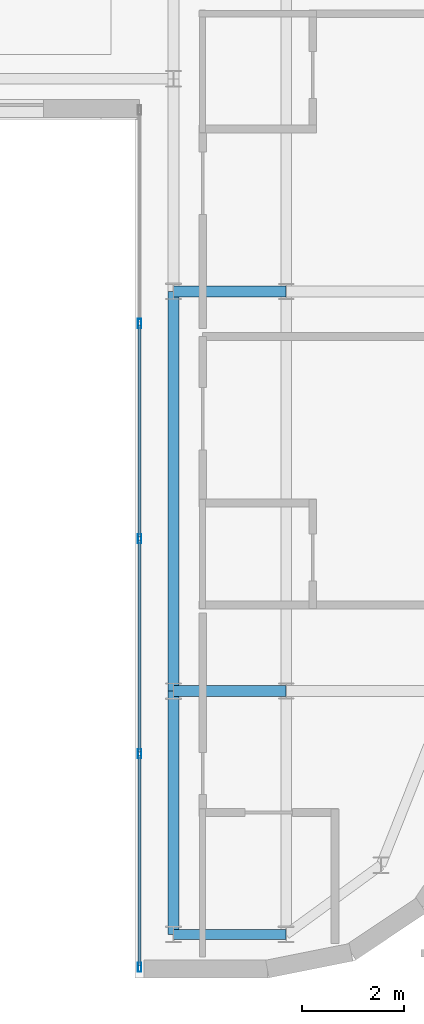
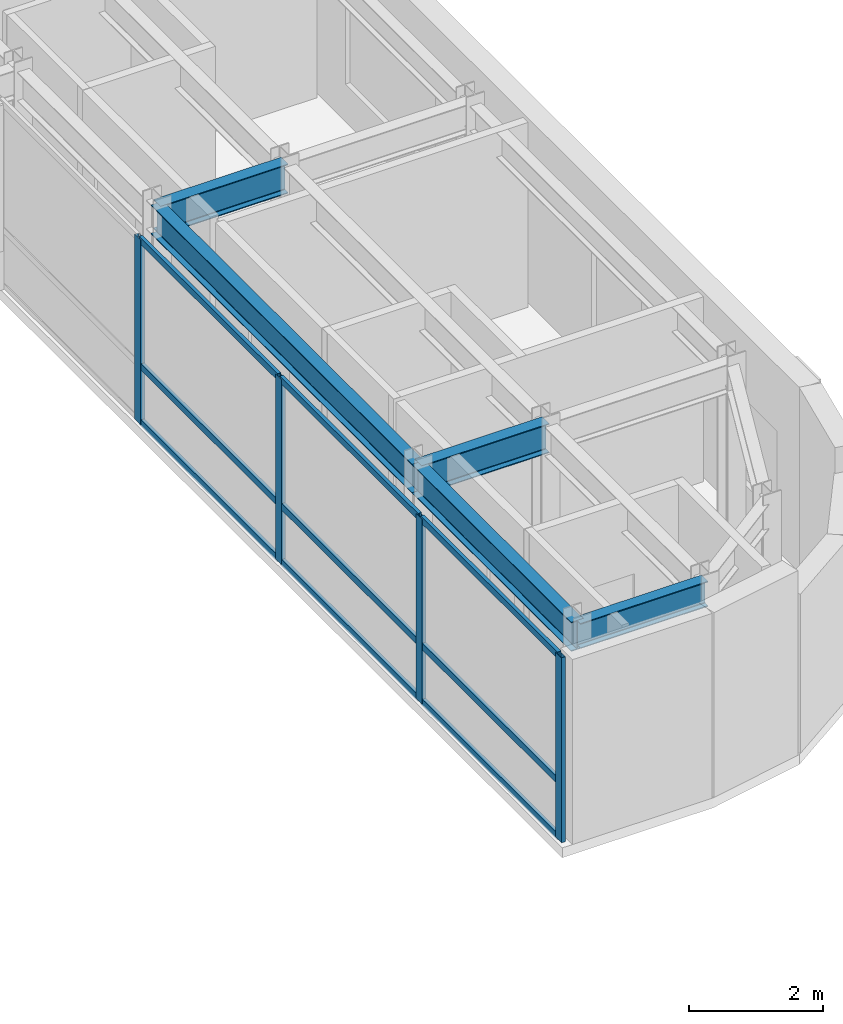
# One storey, part 7 of 21: 13 members, 5 beams, 1 element without a shape of its own.
"""IFC4 building model written with IfcOpenShell, lengths in metres."""

from ifc_helpers import new_model, si_unit, direction, frame, origin, origin_2d, place, context, subcontext, project, spatial, hollow_rectangle, i_section, extrude, source, transform, mapped, material, layer, layer_set, material_profile, profile_set, type_object, type_shapes, element, aggregate, save


model = new_model("IFC4")

# Units and contexts
model_context = context("Model", 3, precision=1e-05, world=origin(), true_north=direction((0.0, 1.0)))
body_context = subcontext(model_context, "Body", "Model", "MODEL_VIEW")
ifc_project = project(units=[si_unit("LENGTHUNIT", "METRE"), si_unit("AREAUNIT", "SQUARE_METRE"), si_unit("VOLUMEUNIT", "CUBIC_METRE"), si_unit("PLANEANGLEUNIT", "RADIAN"), si_unit("MASSUNIT", "GRAM", prefix="KILO")], contexts=[model_context])

# Site, building, storey
site_placement = place(None, origin())
site = spatial("IfcSite", under=ifc_project, at=site_placement, CompositionType="ELEMENT")
building_placement = place(site_placement, origin())
building = spatial("IfcBuilding", under=site, at=building_placement, Name="Tolvann Quenvar Hotel", CompositionType="ELEMENT")
storey_placement = place(building_placement, frame((0.0, 0.0, 255.85009765625)))
storey = spatial("IfcBuildingStorey", under=building, at=storey_placement, Name="L68", CompositionType="ELEMENT", Elevation=255.85009765625)

# Beams
ifc_material_1 = material(Name="Steel Grade 350", Category="steel")
ifc_material_profile_1 = material_profile(ifc_material_1, i_section(OverallWidth=0.208984375, OverallDepth=0.532958984375, WebThickness=0.01025390625, FlangeThickness=0.015625, FilletRadius=0.013916015625, at=origin_2d()), Name="530UB92")
ifc_profile_set_1 = profile_set([ifc_material_profile_1], Name="Steel Grade 350")
beam_type_1 = type_object("IfcBeamType", Name="BM_GIRD_530UB92", PredefinedType="BEAM", material=ifc_profile_set_1)
shared_shape_1 = source(origin(), body_context, "Body", "SweptSolid", [
    extrude(i_section(OverallWidth=0.208984375, OverallDepth=0.532958984375, WebThickness=0.01025390625, FlangeThickness=0.015625, FilletRadius=0.013916015625, at=origin_2d()), origin(), (0.0, 0.0, 1.0), 7.800048828125),
])
beam_1_placement = place(storey_placement, frame((32.75, 8.199951171875, 3.103515625), z_axis=(0.0, 1.0, 0.0), x_axis=(-1.0, 0.0, 0.0)))
element("IfcBeam", 1, at=beam_1_placement, inside=storey, type_object=beam_type_1, Name="BM-L68-NS-FP3-FP4", PredefinedType="BEAM", context=body_context, shape_type="MappedRepresentation", body=[
    mapped(shared_shape_1, transform((0.0, 0.0, 0.0), x_axis=(1.0, 0.0, 0.0), y_axis=(0.0, 1.0, 0.0), z_axis=(0.0, 0.0, 1.0), scale=1.0)),
])
shared_shape_2 = source(origin(), body_context, "Body", "SweptSolid", [
    extrude(i_section(OverallWidth=0.208984375, OverallDepth=0.532958984375, WebThickness=0.01025390625, FlangeThickness=0.015625, FilletRadius=0.013916015625, at=origin_2d()), origin(), (0.0, 0.0, 1.0), 4.75),
])
beam_2_placement = place(storey_placement, frame((32.75, 3.449951171875, 3.103515625), z_axis=(0.0, 1.0, 0.0), x_axis=(-1.0, 0.0, 0.0)))
element("IfcBeam", 2, at=beam_2_placement, inside=storey, type_object=beam_type_1, Name="BM-L68-NS-FP2-FP3", PredefinedType="BEAM", context=body_context, shape_type="MappedRepresentation", body=[
    mapped(shared_shape_2, transform((0.0, 0.0, 0.0), x_axis=(1.0, 0.0, 0.0), y_axis=(0.0, 1.0, 0.0), z_axis=(0.0, 0.0, 1.0), scale=1.0)),
])
ifc_material_profile_2 = material_profile(ifc_material_1, i_section(OverallWidth=0.19091796875, OverallDepth=0.4599609375, WebThickness=0.010009765625, FlangeThickness=0.01611328125, FilletRadius=0.011474609375, at=origin_2d()), Name="460UB82")
ifc_profile_set_2 = profile_set([ifc_material_profile_2], Name="Steel Grade 350")
beam_type_2 = type_object("IfcBeamType", Name="BM_SPAND_460UB82", PredefinedType="SPANDREL", material=ifc_profile_set_2)
shared_shape_3 = source(origin(), body_context, "Body", "SweptSolid", [
    extrude(i_section(OverallWidth=0.19091796875, OverallDepth=0.4599609375, WebThickness=0.010009765625, FlangeThickness=0.01611328125, FilletRadius=0.011474609375, at=origin_2d()), origin(), (0.0, 0.0, 1.0), 2.199951171875),
])
type_shapes(beam_type_2, [shared_shape_3])
beam_3_placement = place(storey_placement, frame((32.75, 3.449951171875, 3.139892578125), z_axis=(1.0, 0.0, 0.0), x_axis=(0.0, 1.0, 0.0)))
element("IfcBeam", 3, at=beam_3_placement, inside=storey, type_object=beam_type_2, Name="BM-L68-EW-2-FP2-F2", PredefinedType="SPANDREL", context=body_context, shape_type="MappedRepresentation", body=[
    mapped(shared_shape_3, transform((0.0, 0.0, 0.0), x_axis=(1.0, 0.0, 0.0), y_axis=(0.0, 1.0, 0.0), z_axis=(0.0, 0.0, 1.0), scale=1.0)),
])
shared_shape_4 = source(origin(), body_context, "Body", "SweptSolid", [
    extrude(i_section(OverallWidth=0.208984375, OverallDepth=0.532958984375, WebThickness=0.01025390625, FlangeThickness=0.015625, FilletRadius=0.013916015625, at=origin_2d()), origin(), (0.0, 0.0, 1.0), 2.199951171875),
])
type_shapes(beam_type_1, [shared_shape_1, shared_shape_2, shared_shape_4])
for number, where, z_axis, x_axis, name in (
    (4, (32.75, 8.199951171875, 3.103515625), (1.0, 0.0, 0.0), (0.0, 1.0, 0.0), "BM-L68-EW-3-FP3-F3"),
    (5, (32.75, 16.0, 3.103515625), (1.0, 0.0, 0.0), (0.0, 1.0, 0.0), "BM-L68-EW-4-FP4-F4"),
):
    element("IfcBeam", number, at=place(storey_placement, frame(where, z_axis=z_axis, x_axis=x_axis)), inside=storey, type_object=beam_type_1, Name=name, PredefinedType="BEAM", context=body_context, shape_type="MappedRepresentation", body=[
        mapped(shared_shape_4, transform((0.0, 0.0, 0.0), x_axis=(1.0, 0.0, 0.0), y_axis=(0.0, 1.0, 0.0), z_axis=(0.0, 0.0, 1.0), scale=1.0)),
    ])

# Curtain wall, members
ifc_material_2 = material(Name="Thermally broken anodised architectural aluminium 6063-T6 and laminated low-E glass", Category="aluminium")
ifc_layer = layer(ifc_material_2, 0.179931640625)
ifc_layer_set = layer_set([ifc_layer], Name="Thermally broken anodised architectural aluminium 6063-T6 and laminated low-E glass")
curtain_wall_type = type_object("IfcCurtainWallType", Name="CW_SYS_PORTAL_05", PredefinedType="USERDEFINED", material=ifc_layer_set)
curtain_wall_placement = place(storey_placement, origin())
curtain_wall = element("IfcCurtainWall", 6, at=curtain_wall_placement, inside=storey, type_object=curtain_wall_type, Name="Curtain Wall CW-PORTAL-05 (CWR-L68-E07)", ObjectType="UNITISED CURTAIN WALL", PredefinedType="USERDEFINED")
ifc_material_3 = material(Name="Anodised architectural aluminium 6063-T6 framing", Category="aluminium")
ifc_material_profile_3 = material_profile(ifc_material_3, hollow_rectangle(XDim=0.070068359375, YDim=0.179931640625, WallThickness=0.00390625, at=origin_2d()), Name="180x70x4RHS")
ifc_profile_set_3 = profile_set([ifc_material_profile_3], Name="Anodised architectural aluminium 6063-T6 framing")
member_type_1 = type_object("IfcMemberType", Name="CW_MULL_180x70", PredefinedType="MULLION", material=ifc_profile_set_3)
shared_shape_5 = source(origin(), body_context, "Body", "SweptSolid", [
    extrude(hollow_rectangle(XDim=0.070068359375, YDim=0.179931640625, WallThickness=0.00390625, at=origin_2d()), origin(), (0.0, 0.0, 1.0), 3.369873046875),
])
type_shapes(member_type_1, [shared_shape_5])
member_1_placement = place(storey_placement, frame((32.090087890625, 15.375, 0.0), z_axis=(0.0, 0.0, 1.0), x_axis=(1.0, 0.0, 0.0)))
member_1 = element("IfcMember", 7, at=member_1_placement, type_object=member_type_1, Name="CW-PORTAL-05 mullion 2", PredefinedType="MULLION", context=body_context, shape_type="MappedRepresentation", body=[
    mapped(shared_shape_5, transform((0.0, 0.0, 0.0), x_axis=(1.0, 0.0, 0.0), y_axis=(0.0, 1.0, 0.0), z_axis=(0.0, 0.0, 1.0), scale=1.0)),
])
member_2_placement = place(storey_placement, frame((32.090087890625, 11.175048828125, 0.0), z_axis=(0.0, 0.0, 1.0), x_axis=(1.0, 0.0, 0.0)))
member_2 = element("IfcMember", 8, at=member_2_placement, type_object=member_type_1, Name="CW-PORTAL-05 mullion 3", PredefinedType="MULLION", context=body_context, shape_type="MappedRepresentation", body=[
    mapped(shared_shape_5, transform((0.0, 0.0, 0.0), x_axis=(1.0, 0.0, 0.0), y_axis=(0.0, 1.0, 0.0), z_axis=(0.0, 0.0, 1.0), scale=1.0)),
])
member_3_placement = place(storey_placement, frame((32.090087890625, 6.97509765625, 0.0), z_axis=(0.0, 0.0, 1.0), x_axis=(1.0, 0.0, 0.0)))
member_3 = element("IfcMember", 9, at=member_3_placement, type_object=member_type_1, Name="CW-PORTAL-05 mullion 4", PredefinedType="MULLION", context=body_context, shape_type="MappedRepresentation", body=[
    mapped(shared_shape_5, transform((0.0, 0.0, 0.0), x_axis=(1.0, 0.0, 0.0), y_axis=(0.0, 1.0, 0.0), z_axis=(0.0, 0.0, 1.0), scale=1.0)),
])
member_4_placement = place(storey_placement, frame((32.090087890625, 2.81005859375, 0.0), z_axis=(0.0, 0.0, 1.0), x_axis=(1.0, 0.0, 0.0)))
member_4 = element("IfcMember", 10, at=member_4_placement, type_object=member_type_1, Name="CW-PORTAL-05 mullion 5", PredefinedType="MULLION", context=body_context, shape_type="MappedRepresentation", body=[
    mapped(shared_shape_5, transform((0.0, 0.0, 0.0), x_axis=(1.0, 0.0, 0.0), y_axis=(0.0, 1.0, 0.0), z_axis=(0.0, 0.0, 1.0), scale=1.0)),
])
ifc_material_profile_4 = material_profile(ifc_material_3, hollow_rectangle(XDim=0.06005859375, YDim=0.1201171875, WallThickness=0.00341796875, at=origin_2d()), Name="120x60x3.5RHS")
ifc_profile_set_4 = profile_set([ifc_material_profile_4], Name="Anodised architectural aluminium 6063-T6 framing")
member_type_2 = type_object("IfcMemberType", Name="CW_TRAN_120x60", PredefinedType="USERDEFINED", material=ifc_profile_set_4)
shared_shape_6 = source(origin(), body_context, "Body", "SweptSolid", [
    extrude(hollow_rectangle(XDim=0.06005859375, YDim=0.1201171875, WallThickness=0.00341796875, at=origin_2d()), origin(), (0.0, 0.0, 1.0), 4.094970703125),
])
member_5_placement = place(storey_placement, frame((32.090087890625, 6.93994140625, 0.02978515625), z_axis=(0.0, -1.0, 0.0), x_axis=(1.0, 0.0, 0.0)))
member_5 = element("IfcMember", 11, at=member_5_placement, type_object=member_type_2, Name="CW-PORTAL-05 transom 4.1", ObjectType="TRANSOM", PredefinedType="USERDEFINED", context=body_context, shape_type="MappedRepresentation", body=[
    mapped(shared_shape_6, transform((0.0, 0.0, 0.0), x_axis=(1.0, 0.0, 0.0), y_axis=(0.0, 1.0, 0.0), z_axis=(0.0, 0.0, 1.0), scale=1.0)),
])
member_6_placement = place(storey_placement, frame((32.090087890625, 6.93994140625, 1.0498046875), z_axis=(0.0, -1.0, 0.0), x_axis=(1.0, 0.0, 0.0)))
member_6 = element("IfcMember", 12, at=member_6_placement, type_object=member_type_2, Name="CW-PORTAL-05 transom 4.2", ObjectType="TRANSOM", PredefinedType="USERDEFINED", context=body_context, shape_type="MappedRepresentation", body=[
    mapped(shared_shape_6, transform((0.0, 0.0, 0.0), x_axis=(1.0, 0.0, 0.0), y_axis=(0.0, 1.0, 0.0), z_axis=(0.0, 0.0, 1.0), scale=1.0)),
])
member_7_placement = place(storey_placement, frame((32.090087890625, 6.93994140625, 3.33984375), z_axis=(0.0, -1.0, 0.0), x_axis=(1.0, 0.0, 0.0)))
member_7 = element("IfcMember", 13, at=member_7_placement, type_object=member_type_2, Name="CW-PORTAL-05 transom 4.3", ObjectType="TRANSOM", PredefinedType="USERDEFINED", context=body_context, shape_type="MappedRepresentation", body=[
    mapped(shared_shape_6, transform((0.0, 0.0, 0.0), x_axis=(1.0, 0.0, 0.0), y_axis=(0.0, 1.0, 0.0), z_axis=(0.0, 0.0, 1.0), scale=1.0)),
])
shared_shape_7 = source(origin(), body_context, "Body", "SweptSolid", [
    extrude(hollow_rectangle(XDim=0.06005859375, YDim=0.1201171875, WallThickness=0.00341796875, at=origin_2d()), origin(), (0.0, 0.0, 1.0), 4.130126953125),
])
member_8_placement = place(storey_placement, frame((32.090087890625, 15.340087890625, 0.02978515625), z_axis=(0.0, -1.0, 0.0), x_axis=(1.0, 0.0, 0.0)))
member_8 = element("IfcMember", 14, at=member_8_placement, type_object=member_type_2, Name="CW-PORTAL-05 transom 2.1", ObjectType="TRANSOM", PredefinedType="USERDEFINED", context=body_context, shape_type="MappedRepresentation", body=[
    mapped(shared_shape_7, transform((0.0, 0.0, 0.0), x_axis=(1.0, 0.0, 0.0), y_axis=(0.0, 1.0, 0.0), z_axis=(0.0, 0.0, 1.0), scale=1.0)),
])
member_9_placement = place(storey_placement, frame((32.090087890625, 15.340087890625, 1.0498046875), z_axis=(0.0, -1.0, 0.0), x_axis=(1.0, 0.0, 0.0)))
member_9 = element("IfcMember", 15, at=member_9_placement, type_object=member_type_2, Name="CW-PORTAL-05 transom 2.2", ObjectType="TRANSOM", PredefinedType="USERDEFINED", context=body_context, shape_type="MappedRepresentation", body=[
    mapped(shared_shape_7, transform((0.0, 0.0, 0.0), x_axis=(1.0, 0.0, 0.0), y_axis=(0.0, 1.0, 0.0), z_axis=(0.0, 0.0, 1.0), scale=1.0)),
])
member_10_placement = place(storey_placement, frame((32.090087890625, 15.340087890625, 3.33984375), z_axis=(0.0, -1.0, 0.0), x_axis=(1.0, 0.0, 0.0)))
member_10 = element("IfcMember", 16, at=member_10_placement, type_object=member_type_2, Name="CW-PORTAL-05 transom 2.3", ObjectType="TRANSOM", PredefinedType="USERDEFINED", context=body_context, shape_type="MappedRepresentation", body=[
    mapped(shared_shape_7, transform((0.0, 0.0, 0.0), x_axis=(1.0, 0.0, 0.0), y_axis=(0.0, 1.0, 0.0), z_axis=(0.0, 0.0, 1.0), scale=1.0)),
])
shared_shape_8 = source(origin(), body_context, "Body", "SweptSolid", [
    extrude(hollow_rectangle(XDim=0.06005859375, YDim=0.1201171875, WallThickness=0.00341796875, at=origin_2d()), origin(), (0.0, 0.0, 1.0), 4.1298828125),
])
type_shapes(member_type_2, [shared_shape_6, shared_shape_7, shared_shape_8])
member_11_placement = place(storey_placement, frame((32.090087890625, 11.139892578125, 0.02978515625), z_axis=(0.0, -1.0, 0.0), x_axis=(1.0, 0.0, 0.0)))
member_11 = element("IfcMember", 17, at=member_11_placement, type_object=member_type_2, Name="CW-PORTAL-05 transom 3.1", ObjectType="TRANSOM", PredefinedType="USERDEFINED", context=body_context, shape_type="MappedRepresentation", body=[
    mapped(shared_shape_8, transform((0.0, 0.0, 0.0), x_axis=(1.0, 0.0, 0.0), y_axis=(0.0, 1.0, 0.0), z_axis=(0.0, 0.0, 1.0), scale=1.0)),
])
member_12_placement = place(storey_placement, frame((32.090087890625, 11.139892578125, 1.0498046875), z_axis=(0.0, -1.0, 0.0), x_axis=(1.0, 0.0, 0.0)))
member_12 = element("IfcMember", 18, at=member_12_placement, type_object=member_type_2, Name="CW-PORTAL-05 transom 3.2", ObjectType="TRANSOM", PredefinedType="USERDEFINED", context=body_context, shape_type="MappedRepresentation", body=[
    mapped(shared_shape_8, transform((0.0, 0.0, 0.0), x_axis=(1.0, 0.0, 0.0), y_axis=(0.0, 1.0, 0.0), z_axis=(0.0, 0.0, 1.0), scale=1.0)),
])
member_13_placement = place(storey_placement, frame((32.090087890625, 11.139892578125, 3.33984375), z_axis=(0.0, -1.0, 0.0), x_axis=(1.0, 0.0, 0.0)))
member_13 = element("IfcMember", 19, at=member_13_placement, type_object=member_type_2, Name="CW-PORTAL-05 transom 3.3", ObjectType="TRANSOM", PredefinedType="USERDEFINED", context=body_context, shape_type="MappedRepresentation", body=[
    mapped(shared_shape_8, transform((0.0, 0.0, 0.0), x_axis=(1.0, 0.0, 0.0), y_axis=(0.0, 1.0, 0.0), z_axis=(0.0, 0.0, 1.0), scale=1.0)),
])
aggregate(curtain_wall, [member_1, member_2, member_3, member_4, member_8, member_9, member_10, member_11, member_12, member_13, member_5, member_6, member_7])

save(model, "model.ifc")
